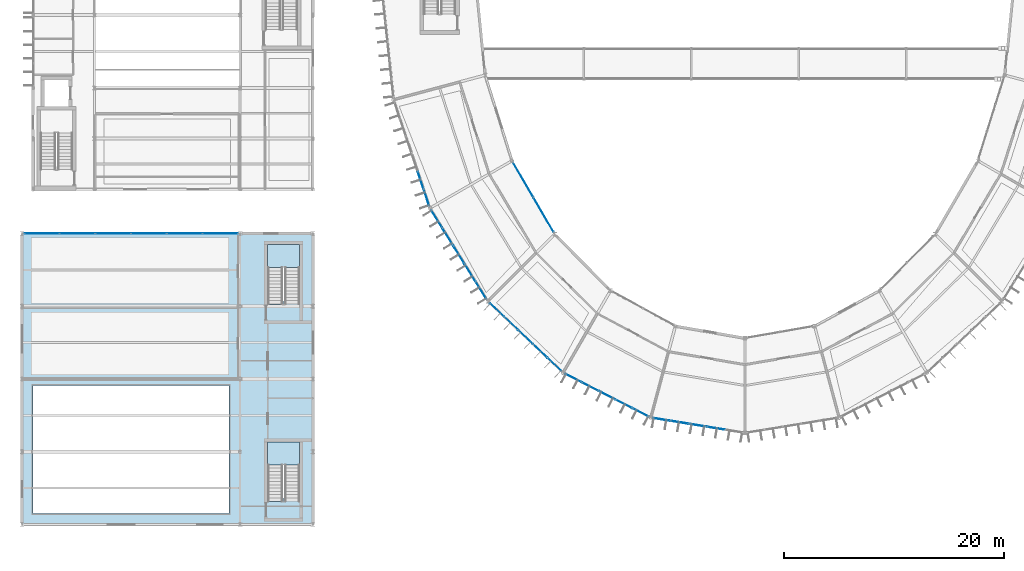
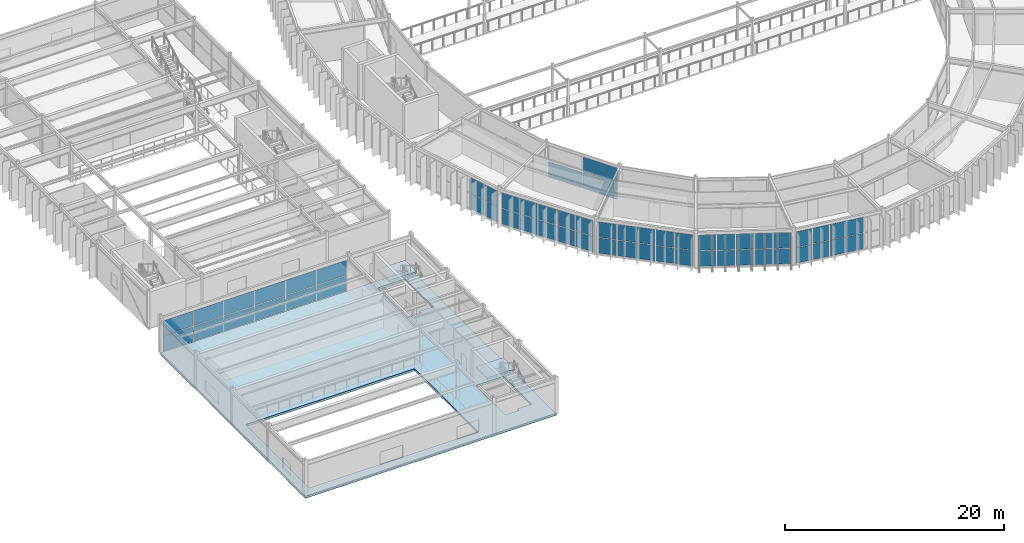
# One storey, part 99 of 148: 57 plates, 3 slabs, 9 elements without a shape of their own.
"""IFC4 building model written with IfcOpenShell, lengths in metres."""

import ifcopenshell
import ifcopenshell.guid

model = None  # the IFC model being written
_history = None  # IfcOwnerHistory: only IFC2X3 demands one
_inside = {}  # id of a spatial element -> (the spatial element, [elements in it])
_under = {}  # id of a project, library or spatial element -> (it, [spatial elements below it])
_declared = {}  # id of a project -> (the project, [libraries it declares])
_typed = {}  # id of a type object -> (the type object, [elements of that type])
_made_of = {}  # id of a material, layer set ... -> (it, [elements and type objects made of it])


def new_model(schema):
    """Start an empty IFC model of exactly this schema.

    Asked for "IFC4X3", IfcOpenShell would pick the latest addendum, in which some entities
    have other attributes; the version numbers below select the first issue.
    IFC2X3 requires an IfcOwnerHistory on every rooted entity: one is made here for all.
    """
    global model, _history
    if schema == "IFC4X3":
        model = ifcopenshell.file(schema_version=(4, 3, 0, 0))
    else:
        model = ifcopenshell.file(schema=schema)
    _inside.clear()
    _under.clear()
    _declared.clear()
    _typed.clear()
    _made_of.clear()
    _history = None
    if model.schema == "IFC2X3":
        org = make("IfcOrganization", Name="unknown")
        user = make(
            "IfcPersonAndOrganization",
            ThePerson=make("IfcPerson", FamilyName="unknown"),
            TheOrganization=org,
        )
        app = make(
            "IfcApplication",
            ApplicationDeveloper=org,
            Version="unknown",
            ApplicationFullName="unknown",
            ApplicationIdentifier="unknown",
        )
        _history = make(
            "IfcOwnerHistory",
            OwningUser=user,
            OwningApplication=app,
            ChangeAction="ADDED",
            CreationDate=0,
        )
    return model


def make(cls, **values):
    """One entity of the class cls with the attributes given. An attribute that is None is left unset."""
    return model.create_entity(
        cls, **{name: value for name, value in values.items() if value is not None}
    )


def rooted(cls, **values):
    """An entity with a GlobalId (a new one), such as an element, a storey or a relation."""
    return make(cls, GlobalId=ifcopenshell.guid.new(), OwnerHistory=_history, **values)


def si_unit(unit_type, name, prefix=None):
    """IfcSIUnit, for example si_unit("LENGTHUNIT", "METRE", prefix="MILLI")."""
    return make("IfcSIUnit", UnitType=unit_type, Prefix=prefix, Name=name)


def assignment(units):
    """IfcUnitAssignment: the units of a project."""
    return None if units is None else make("IfcUnitAssignment", Units=units)


def point(xyz):
    """IfcCartesianPoint."""
    return None if xyz is None else make("IfcCartesianPoint", Coordinates=xyz)


def direction(xyz):
    """IfcDirection."""
    return None if xyz is None else make("IfcDirection", DirectionRatios=xyz)


def frame(location, z_axis=None, x_axis=None):
    """IfcAxis2Placement3D, a coordinate frame: its origin and axes. An axis left out is left unset."""
    return make(
        "IfcAxis2Placement3D",
        Location=point(location),
        Axis=direction(z_axis),
        RefDirection=direction(x_axis),
    )


def frame_2d(location, x_axis=None):
    """IfcAxis2Placement2D, a coordinate frame in the plane: its origin and x axis."""
    return make(
        "IfcAxis2Placement2D", Location=point(location), RefDirection=direction(x_axis)
    )


def origin():
    """The frame at (0, 0, 0) with its axes left unset."""
    return frame((0.0, 0.0, 0.0))


def origin_2d():
    """The frame at (0, 0) in the plane with its x axis left unset."""
    return frame_2d((0.0, 0.0))


def place(relative_to, where):
    """IfcLocalPlacement: puts the frame where relative to a parent placement (None: the world)."""
    return make(
        "IfcLocalPlacement", PlacementRelTo=relative_to, RelativePlacement=where
    )


def context(
    kind, dimensions, precision=None, world=None, true_north=None, identifier=None
):
    """IfcGeometricRepresentationContext, for example the 3D "Model" context."""
    return make(
        "IfcGeometricRepresentationContext",
        ContextIdentifier=identifier,
        ContextType=kind,
        CoordinateSpaceDimension=dimensions,
        Precision=precision,
        WorldCoordinateSystem=world,
        TrueNorth=true_north,
    )


def subcontext(parent, identifier, kind, view, scale=None):
    """IfcGeometricRepresentationSubContext, for example "Body" below "Model"."""
    return make(
        "IfcGeometricRepresentationSubContext",
        ContextIdentifier=identifier,
        ContextType=kind,
        ParentContext=parent,
        TargetScale=scale,
        TargetView=view,
    )


def project(units=None, contexts=None):
    """IfcProject with its units and contexts."""
    return rooted(
        "IfcProject",
        Name="project",
        RepresentationContexts=contexts,
        UnitsInContext=assignment(units),
    )


def spatial(cls, under=None, at=None, **own):
    """A site, building, storey or space (cls), placed at a placement, below another one or the project."""
    s = rooted(cls, ObjectPlacement=at, **own)
    if under is not None:
        _under.setdefault(under.id(), (under, []))[1].append(s)
    return s


def polyline(points):
    """IfcPolyline through the points."""
    return make("IfcPolyline", Points=[point(p) for p in points])


def profile(cls, at=None, kind="AREA", **sizes):
    """A parametric profile (cls). Its sizes go by their IFC names, for example OverallWidth=200.0."""
    return make(cls, ProfileType=kind, Position=at, **sizes)


def rectangle(**sizes):
    """IfcRectangleProfileDef."""
    return profile("IfcRectangleProfileDef", **sizes)


def outline(outer, holes=None, kind="AREA"):
    """IfcArbitraryClosedProfileDef: a profile drawn as a closed curve; with holes, ...WithVoids."""
    if holes is None:
        return make("IfcArbitraryClosedProfileDef", ProfileType=kind, OuterCurve=outer)
    return make(
        "IfcArbitraryProfileDefWithVoids",
        ProfileType=kind,
        OuterCurve=outer,
        InnerCurves=holes,
    )


def extrude(swept, where, along, depth):
    """IfcExtrudedAreaSolid: the profile swept, set in the frame where, extruded along a direction by depth."""
    return make(
        "IfcExtrudedAreaSolid",
        SweptArea=swept,
        Position=where,
        ExtrudedDirection=direction(along),
        Depth=depth,
    )


def shape(context_of_items, identifier, shape_type, items):
    """IfcShapeRepresentation: the items that make up one representation, for example the "Body"."""
    return make(
        "IfcShapeRepresentation",
        ContextOfItems=context_of_items,
        RepresentationIdentifier=identifier,
        RepresentationType=shape_type,
        Items=items,
    )


def material(Name=None, Category=None):
    """IfcMaterial."""
    return make("IfcMaterial", Name=Name, Category=Category)


def layer(
    of_material, thickness, ventilated=None, Name=None, Category=None, Priority=None
):
    """IfcMaterialLayer: one layer of a wall or slab, of a material (None: an air gap)."""
    return make(
        "IfcMaterialLayer",
        Material=of_material,
        LayerThickness=thickness,
        IsVentilated=ventilated,
        Name=Name,
        Category=Category,
        Priority=Priority,
    )


def layer_set(layers, Name=None):
    """IfcMaterialLayerSet."""
    return make("IfcMaterialLayerSet", MaterialLayers=layers, LayerSetName=Name)


def made_of(thing, what):
    """Note that an element or type object is made of a material, layer set ...; save() writes the relation."""
    if what is not None:
        _made_of.setdefault(what.id(), (what, []))[1].append(thing)
    return thing


def type_object(cls, material=None, **own):
    """A type object (cls), such as IfcWallType, which elements share."""
    return made_of(rooted(cls, **own), material)


def element(
    cls,
    number,
    at=None,
    inside=None,
    cuts=None,
    type_object=None,
    material=None,
    context=None,
    identifier="Body",
    shape_type=None,
    held_by="IfcProductDefinitionShape",
    body=None,
    shapes=None,
    **own,
):
    """One element of the class cls, such as IfcWall. Its Tag is "e" and its number.

    at: its placement. inside: the storey or other place that contains it. cuts: it is an
    opening in that element (IfcRelVoidsElement). A single representation is given by context,
    identifier, shape_type and body (its items); several are given by shapes. held_by: the class
    of the entity that holds the representations. save() writes the other relations.
    """
    e = rooted(cls, Tag="e%d" % number, ObjectPlacement=at, **own)
    if body is not None:
        shapes = [shape(context, identifier, shape_type, body)]
    if shapes is not None:
        e.Representation = make(held_by, Representations=shapes)
    if inside is not None:
        _inside.setdefault(inside.id(), (inside, []))[1].append(e)
    if cuts is not None:
        rooted(
            "IfcRelVoidsElement", RelatingBuildingElement=cuts, RelatedOpeningElement=e
        )
    if type_object is not None:
        _typed.setdefault(type_object.id(), (type_object, []))[1].append(e)
    return made_of(e, material)


def aggregate(whole, parts):
    """IfcRelAggregates: a whole, such as a stair, and the parts it consists of."""
    return rooted("IfcRelAggregates", RelatingObject=whole, RelatedObjects=parts)


def save(model, path):
    """Write the relations noted so far, then the file.

    IfcRelAggregates (storeys below a building ...), IfcRelContainedInSpatialStructure (elements
    in a storey), IfcRelDefinesByType, IfcRelAssociatesMaterial and IfcRelDeclares: one each for
    every whole, place, type object, material and project.
    """
    for whole, parts in _under.values():
        aggregate(whole, parts)
    for where, things in _inside.values():
        rooted(
            "IfcRelContainedInSpatialStructure",
            RelatedElements=things,
            RelatingStructure=where,
        )
    for kind, things in _typed.values():
        rooted("IfcRelDefinesByType", RelatedObjects=things, RelatingType=kind)
    for what, things in _made_of.values():
        rooted("IfcRelAssociatesMaterial", RelatedObjects=things, RelatingMaterial=what)
    for by, libraries in _declared.values():
        rooted("IfcRelDeclares", RelatingContext=by, RelatedDefinitions=libraries)
    model.write(path)


model = new_model("IFC4")

# Units and contexts
model_context = context("Model", 3, precision=1e-05, world=origin(), true_north=direction((0.0, 1.0)))
body_context = subcontext(model_context, "Body", "Model", "MODEL_VIEW")
ifc_project = project(units=[si_unit("LENGTHUNIT", "METRE"), si_unit("AREAUNIT", "SQUARE_METRE"), si_unit("VOLUMEUNIT", "CUBIC_METRE"), si_unit("PLANEANGLEUNIT", "RADIAN"), si_unit("MASSUNIT", "GRAM", prefix="KILO")], contexts=[model_context])

# Site, building, storey
site_placement = place(None, origin())
site = spatial("IfcSite", under=ifc_project, at=site_placement, CompositionType="ELEMENT")
building_placement = place(site_placement, origin())
building = spatial("IfcBuilding", under=site, at=building_placement, Name="Karori Crest Natural Sciences Institute", CompositionType="ELEMENT")
storey_placement = place(building_placement, frame((0.0, 0.0, 4.89990234375)))
storey = spatial("IfcBuildingStorey", under=building, at=storey_placement, Name="L01", CompositionType="ELEMENT", Elevation=4.89990234375)

# Curtain wall, plates
ifc_material_1 = material(Name="Anodised architectural aluminium 6063-T6", Category="aluminium")
curtain_wall_type_1 = type_object("IfcCurtainWallType", Name="CWT-15", PredefinedType="NOTDEFINED", material=ifc_material_1)
curtain_wall_1_placement = place(storey_placement, origin())
curtain_wall_1 = element("IfcCurtainWall", 1, at=curtain_wall_1_placement, inside=storey, type_object=curtain_wall_type_1, Name="Curtain wall CW-0051", PredefinedType="NOTDEFINED")
ifc_material_2 = material(Name="Double low-E laminated glass", Category="glass")
ifc_layer_1 = layer(ifc_material_2, 0.02392578125, Name="Double low-E laminated glass")
ifc_layer_set_1 = layer_set([ifc_layer_1], Name="Double low-E laminated glass")
plate_type_1 = type_object("IfcPlateType", Name="CWP-01", PredefinedType="CURTAIN_PANEL", material=ifc_layer_set_1)
plate_1_placement = place(storey_placement, frame((46.274658203125, 32.070556640625, 0.06005859375), z_axis=(0.0, 0.0, 1.0), x_axis=(0.502659683982, -0.864484379326, 0.0)))
plate_1 = element("IfcPlate", 2, at=plate_1_placement, type_object=plate_type_1, Name="CW-0051 panel 1.1", PredefinedType="CURTAIN_PANEL", context=body_context, shape_type="SweptSolid", body=[
    extrude(rectangle(XDim=3.602294921875, YDim=0.02392578125, at=origin_2d()), origin(), (0.0, 0.0, 1.0), 1.735107421875),
])
plate_2_placement = place(storey_placement, frame((48.117919921875, 28.900146484375, 0.06005859375), z_axis=(0.0, 0.0, 1.0), x_axis=(0.502659683982, -0.864484379326, 0.0)))
plate_2 = element("IfcPlate", 3, at=plate_2_placement, type_object=plate_type_1, Name="CW-0051 panel 2.1", PredefinedType="CURTAIN_PANEL", context=body_context, shape_type="SweptSolid", body=[
    extrude(rectangle(XDim=3.602294921875, YDim=0.02392578125, at=origin_2d()), origin(), (0.0, 0.0, 1.0), 1.735107421875),
])
plate_3_placement = place(storey_placement, frame((48.117919921875, 28.900146484375, 1.85498046875), z_axis=(0.0, 0.0, 1.0), x_axis=(0.502659683982, -0.864484379326, 0.0)))
plate_3 = element("IfcPlate", 4, at=plate_3_placement, type_object=plate_type_1, Name="CW-0051 panel 2.2", PredefinedType="CURTAIN_PANEL", context=body_context, shape_type="SweptSolid", body=[
    extrude(rectangle(XDim=3.602294921875, YDim=0.02392578125, at=origin_2d()), origin(), (0.0, 0.0, 1.0), 1.735107421875),
])
aggregate(curtain_wall_1, [plate_1, plate_2, plate_3])

curtain_wall_type_2 = type_object("IfcCurtainWallType", Name="CWT-06", PredefinedType="NOTDEFINED", material=ifc_material_1)
curtain_wall_2_placement = place(storey_placement, origin())
curtain_wall_2 = element("IfcCurtainWall", 5, at=curtain_wall_2_placement, inside=storey, type_object=curtain_wall_type_2, Name="Curtain wall CW-0052", PredefinedType="NOTDEFINED")
plate_4_placement = place(storey_placement, frame((49.103515625, 15.32177734375, 0.06005859375), z_axis=(0.0, 0.0, 1.0), x_axis=(-0.725477446992, 0.688245939986, 0.0)))
plate_4 = element("IfcPlate", 6, at=plate_4_placement, type_object=plate_type_1, Name="CW-0052 panel 1.1", PredefinedType="CURTAIN_PANEL", context=body_context, shape_type="SweptSolid", body=[
    extrude(rectangle(XDim=1.694091796875, YDim=0.02392578125, at=origin_2d()), origin(), (0.0, 0.0, 1.0), 1.722412109375),
])
plate_5_placement = place(storey_placement, frame((49.103515625, 15.32177734375, 1.8427734375), z_axis=(0.0, 0.0, 1.0), x_axis=(-0.725477446992, 0.688245939986, 0.0)))
plate_5 = element("IfcPlate", 7, at=plate_5_placement, type_object=plate_type_1, Name="CW-0052 panel 1.2", PredefinedType="CURTAIN_PANEL", context=body_context, shape_type="SweptSolid", body=[
    extrude(rectangle(XDim=1.694091796875, YDim=0.02392578125, at=origin_2d()), origin(), (0.0, 0.0, 1.0), 1.722412109375),
])
plate_6_placement = place(storey_placement, frame((47.806640625, 16.55224609375, 0.06005859375), z_axis=(0.0, 0.0, 1.0), x_axis=(-0.725477446992, 0.688245939986, 0.0)))
plate_6 = element("IfcPlate", 8, at=plate_6_placement, type_object=plate_type_1, Name="CW-0052 panel 2.1", PredefinedType="CURTAIN_PANEL", context=body_context, shape_type="SweptSolid", body=[
    extrude(rectangle(XDim=1.7314453125, YDim=0.02392578125, at=origin_2d()), origin(), (0.0, 0.0, 1.0), 1.722412109375),
])
plate_7_placement = place(storey_placement, frame((47.806640625, 16.55224609375, 1.8427734375), z_axis=(0.0, 0.0, 1.0), x_axis=(-0.725477446992, 0.688245939986, 0.0)))
plate_7 = element("IfcPlate", 9, at=plate_7_placement, type_object=plate_type_1, Name="CW-0052 panel 2.2", PredefinedType="CURTAIN_PANEL", context=body_context, shape_type="SweptSolid", body=[
    extrude(rectangle(XDim=1.7314453125, YDim=0.02392578125, at=origin_2d()), origin(), (0.0, 0.0, 1.0), 1.722412109375),
])
plate_8_placement = place(storey_placement, frame((46.49609375, 17.795654296875, 0.06005859375), z_axis=(0.0, 0.0, 1.0), x_axis=(-0.725477446992, 0.688245939986, 0.0)))
plate_8 = element("IfcPlate", 10, at=plate_8_placement, type_object=plate_type_1, Name="CW-0052 panel 3.1", PredefinedType="CURTAIN_PANEL", context=body_context, shape_type="SweptSolid", body=[
    extrude(rectangle(XDim=1.7314453125, YDim=0.02392578125, at=origin_2d()), origin(), (0.0, 0.0, 1.0), 1.722412109375),
])
plate_9_placement = place(storey_placement, frame((46.49609375, 17.795654296875, 1.8427734375), z_axis=(0.0, 0.0, 1.0), x_axis=(-0.725477446992, 0.688245939986, 0.0)))
plate_9 = element("IfcPlate", 11, at=plate_9_placement, type_object=plate_type_1, Name="CW-0052 panel 3.2", PredefinedType="CURTAIN_PANEL", context=body_context, shape_type="SweptSolid", body=[
    extrude(rectangle(XDim=1.7314453125, YDim=0.02392578125, at=origin_2d()), origin(), (0.0, 0.0, 1.0), 1.722412109375),
])
plate_10_placement = place(storey_placement, frame((45.185302734375, 19.038818359375, 0.06005859375), z_axis=(0.0, 0.0, 1.0), x_axis=(-0.725477446992, 0.688245939986, 0.0)))
plate_10 = element("IfcPlate", 12, at=plate_10_placement, type_object=plate_type_1, Name="CW-0052 panel 4.1", PredefinedType="CURTAIN_PANEL", context=body_context, shape_type="SweptSolid", body=[
    extrude(rectangle(XDim=1.7314453125, YDim=0.02392578125, at=origin_2d()), origin(), (0.0, 0.0, 1.0), 1.722412109375),
])
plate_11_placement = place(storey_placement, frame((45.185302734375, 19.038818359375, 1.8427734375), z_axis=(0.0, 0.0, 1.0), x_axis=(-0.725477446992, 0.688245939986, 0.0)))
plate_11 = element("IfcPlate", 13, at=plate_11_placement, type_object=plate_type_1, Name="CW-0052 panel 4.2", PredefinedType="CURTAIN_PANEL", context=body_context, shape_type="SweptSolid", body=[
    extrude(rectangle(XDim=1.7314453125, YDim=0.02392578125, at=origin_2d()), origin(), (0.0, 0.0, 1.0), 1.722412109375),
])
plate_12_placement = place(storey_placement, frame((43.888427734375, 20.269287109375, 0.06005859375), z_axis=(0.0, 0.0, 1.0), x_axis=(-0.725477446992, 0.688245939986, 0.0)))
plate_12 = element("IfcPlate", 14, at=plate_12_placement, type_object=plate_type_1, Name="CW-0052 panel 5.1", PredefinedType="CURTAIN_PANEL", context=body_context, shape_type="SweptSolid", body=[
    extrude(rectangle(XDim=1.694091796875, YDim=0.02392578125, at=origin_2d()), origin(), (0.0, 0.0, 1.0), 1.722412109375),
])
plate_13_placement = place(storey_placement, frame((43.888427734375, 20.269287109375, 1.8427734375), z_axis=(0.0, 0.0, 1.0), x_axis=(-0.725477446992, 0.688245939986, 0.0)))
plate_13 = element("IfcPlate", 15, at=plate_13_placement, type_object=plate_type_1, Name="CW-0052 panel 5.2", PredefinedType="CURTAIN_PANEL", context=body_context, shape_type="SweptSolid", body=[
    extrude(rectangle(XDim=1.694091796875, YDim=0.02392578125, at=origin_2d()), origin(), (0.0, 0.0, 1.0), 1.722412109375),
])
aggregate(curtain_wall_2, [plate_4, plate_5, plate_6, plate_7, plate_8, plate_9, plate_10, plate_11, plate_12, plate_13])

curtain_wall_type_3 = type_object("IfcCurtainWallType", Name="CWT-16", PredefinedType="NOTDEFINED", material=ifc_material_1)
curtain_wall_3_placement = place(storey_placement, origin())
curtain_wall_3 = element("IfcCurtainWall", 16, at=curtain_wall_3_placement, inside=storey, type_object=curtain_wall_type_3, Name="Curtain wall CW-0252", PredefinedType="NOTDEFINED")
plate_14_placement = place(storey_placement, frame((2.6103515625, 27.199951171875, 0.06005859375), z_axis=(0.0, 0.0, 1.0), x_axis=(1.0, 0.0, 0.0)))
plate_14 = element("IfcPlate", 17, at=plate_14_placement, type_object=plate_type_1, Name="CW-0252 panel 1.1", PredefinedType="CURTAIN_PANEL", context=body_context, shape_type="SweptSolid", body=[
    extrude(rectangle(XDim=3.144775390625, YDim=0.02392578125, at=origin_2d()), origin(), (0.0, 0.0, 1.0), 1.66259765625),
])
plate_15_placement = place(storey_placement, frame((2.6103515625, 27.199951171875, 1.782470703125), z_axis=(0.0, 0.0, 1.0), x_axis=(1.0, 0.0, 0.0)))
plate_15 = element("IfcPlate", 18, at=plate_15_placement, type_object=plate_type_1, Name="CW-0252 panel 1.2", PredefinedType="CURTAIN_PANEL", context=body_context, shape_type="SweptSolid", body=[
    extrude(rectangle(XDim=3.144775390625, YDim=0.02392578125, at=origin_2d()), origin(), (0.0, 0.0, 1.0), 1.66259765625),
])
plate_16_placement = place(storey_placement, frame((5.83642578125, 27.199951171875, 0.06005859375), z_axis=(0.0, 0.0, 1.0), x_axis=(1.0, 0.0, 0.0)))
plate_16 = element("IfcPlate", 19, at=plate_16_placement, type_object=plate_type_1, Name="CW-0252 panel 2.1", PredefinedType="CURTAIN_PANEL", context=body_context, shape_type="SweptSolid", body=[
    extrude(rectangle(XDim=3.17724609375, YDim=0.02392578125, at=origin_2d()), origin(), (0.0, 0.0, 1.0), 1.66259765625),
])
plate_17_placement = place(storey_placement, frame((5.83642578125, 27.199951171875, 1.782470703125), z_axis=(0.0, 0.0, 1.0), x_axis=(1.0, 0.0, 0.0)))
plate_17 = element("IfcPlate", 20, at=plate_17_placement, type_object=plate_type_1, Name="CW-0252 panel 2.2", PredefinedType="CURTAIN_PANEL", context=body_context, shape_type="SweptSolid", body=[
    extrude(rectangle(XDim=3.17724609375, YDim=0.02392578125, at=origin_2d()), origin(), (0.0, 0.0, 1.0), 1.66259765625),
])
plate_18_placement = place(storey_placement, frame((9.078857421875, 27.199951171875, 0.06005859375), z_axis=(0.0, 0.0, 1.0), x_axis=(1.0, 0.0, 0.0)))
plate_18 = element("IfcPlate", 21, at=plate_18_placement, type_object=plate_type_1, Name="CW-0252 panel 3.1", PredefinedType="CURTAIN_PANEL", context=body_context, shape_type="SweptSolid", body=[
    extrude(rectangle(XDim=3.17724609375, YDim=0.02392578125, at=origin_2d()), origin(), (0.0, 0.0, 1.0), 1.66259765625),
])
plate_19_placement = place(storey_placement, frame((9.078857421875, 27.199951171875, 1.782470703125), z_axis=(0.0, 0.0, 1.0), x_axis=(1.0, 0.0, 0.0)))
plate_19 = element("IfcPlate", 22, at=plate_19_placement, type_object=plate_type_1, Name="CW-0252 panel 3.2", PredefinedType="CURTAIN_PANEL", context=body_context, shape_type="SweptSolid", body=[
    extrude(rectangle(XDim=3.17724609375, YDim=0.02392578125, at=origin_2d()), origin(), (0.0, 0.0, 1.0), 1.66259765625),
])
plate_20_placement = place(storey_placement, frame((12.321044921875, 27.199951171875, 0.06005859375), z_axis=(0.0, 0.0, 1.0), x_axis=(1.0, 0.0, 0.0)))
plate_20 = element("IfcPlate", 23, at=plate_20_placement, type_object=plate_type_1, Name="CW-0252 panel 4.1", PredefinedType="CURTAIN_PANEL", context=body_context, shape_type="SweptSolid", body=[
    extrude(rectangle(XDim=3.17724609375, YDim=0.02392578125, at=origin_2d()), origin(), (0.0, 0.0, 1.0), 1.66259765625),
])
plate_21_placement = place(storey_placement, frame((12.321044921875, 27.199951171875, 1.782470703125), z_axis=(0.0, 0.0, 1.0), x_axis=(1.0, 0.0, 0.0)))
plate_21 = element("IfcPlate", 24, at=plate_21_placement, type_object=plate_type_1, Name="CW-0252 panel 4.2", PredefinedType="CURTAIN_PANEL", context=body_context, shape_type="SweptSolid", body=[
    extrude(rectangle(XDim=3.17724609375, YDim=0.02392578125, at=origin_2d()), origin(), (0.0, 0.0, 1.0), 1.66259765625),
])
plate_22_placement = place(storey_placement, frame((15.5634765625, 27.199951171875, 0.06005859375), z_axis=(0.0, 0.0, 1.0), x_axis=(1.0, 0.0, 0.0)))
plate_22 = element("IfcPlate", 25, at=plate_22_placement, type_object=plate_type_1, Name="CW-0252 panel 5.1", PredefinedType="CURTAIN_PANEL", context=body_context, shape_type="SweptSolid", body=[
    extrude(rectangle(XDim=3.17724609375, YDim=0.02392578125, at=origin_2d()), origin(), (0.0, 0.0, 1.0), 1.66259765625),
])
plate_23_placement = place(storey_placement, frame((15.5634765625, 27.199951171875, 1.782470703125), z_axis=(0.0, 0.0, 1.0), x_axis=(1.0, 0.0, 0.0)))
plate_23 = element("IfcPlate", 26, at=plate_23_placement, type_object=plate_type_1, Name="CW-0252 panel 5.2", PredefinedType="CURTAIN_PANEL", context=body_context, shape_type="SweptSolid", body=[
    extrude(rectangle(XDim=3.17724609375, YDim=0.02392578125, at=origin_2d()), origin(), (0.0, 0.0, 1.0), 1.66259765625),
])
plate_24_placement = place(storey_placement, frame((18.78955078125, 27.199951171875, 0.06005859375), z_axis=(0.0, 0.0, 1.0), x_axis=(1.0, 0.0, 0.0)))
plate_24 = element("IfcPlate", 27, at=plate_24_placement, type_object=plate_type_1, Name="CW-0252 panel 6.1", PredefinedType="CURTAIN_PANEL", context=body_context, shape_type="SweptSolid", body=[
    extrude(rectangle(XDim=3.144775390625, YDim=0.02392578125, at=origin_2d()), origin(), (0.0, 0.0, 1.0), 1.66259765625),
])
plate_25_placement = place(storey_placement, frame((18.78955078125, 27.199951171875, 1.782470703125), z_axis=(0.0, 0.0, 1.0), x_axis=(1.0, 0.0, 0.0)))
plate_25 = element("IfcPlate", 28, at=plate_25_placement, type_object=plate_type_1, Name="CW-0252 panel 6.2", PredefinedType="CURTAIN_PANEL", context=body_context, shape_type="SweptSolid", body=[
    extrude(rectangle(XDim=3.144775390625, YDim=0.02392578125, at=origin_2d()), origin(), (0.0, 0.0, 1.0), 1.66259765625),
])
aggregate(curtain_wall_3, [plate_14, plate_15, plate_16, plate_17, plate_18, plate_19, plate_20, plate_21, plate_22, plate_23, plate_24, plate_25])

curtain_wall_type_4 = type_object("IfcCurtainWallType", Name="CWT-04", PredefinedType="NOTDEFINED", material=ifc_material_1)
curtain_wall_4_placement = place(storey_placement, origin())
curtain_wall_4 = element("IfcCurtainWall", 29, at=curtain_wall_4_placement, inside=storey, type_object=curtain_wall_type_4, Name="Curtain wall CW-0049", PredefinedType="NOTDEFINED")
ifc_layer_2 = layer(ifc_material_2, 0.033935546875, Name="Double low-E laminated glass")
ifc_layer_set_2 = layer_set([ifc_layer_2], Name="Double low-E laminated glass")
plate_type_2 = type_object("IfcPlateType", Name="CWP-02", PredefinedType="CURTAIN_PANEL", material=ifc_layer_set_2)
plate_26_placement = place(storey_placement, frame((37.49853515625, 30.462890625, 0.06005859375), z_axis=(0.0, 0.0, 1.0), x_axis=(-0.317685267462, 0.948196219586, 0.0)))
plate_26 = element("IfcPlate", 30, at=plate_26_placement, type_object=plate_type_2, Name="CW-0049 panel 1.1", PredefinedType="CURTAIN_PANEL", context=body_context, shape_type="SweptSolid", body=[
    extrude(rectangle(XDim=1.561279296875, YDim=0.033935546875, at=origin_2d()), origin(), (0.0, 0.0, 1.0), 1.722412109375),
])
plate_27_placement = place(storey_placement, frame((37.49853515625, 30.462890625, 1.8427734375), z_axis=(0.0, 0.0, 1.0), x_axis=(-0.317685267462, 0.948196219586, 0.0)))
plate_27 = element("IfcPlate", 31, at=plate_27_placement, type_object=plate_type_2, Name="CW-0049 panel 1.2", PredefinedType="CURTAIN_PANEL", context=body_context, shape_type="SweptSolid", body=[
    extrude(rectangle(XDim=1.561279296875, YDim=0.033935546875, at=origin_2d()), origin(), (0.0, 0.0, 1.0), 1.722412109375),
])
plate_28_placement = place(storey_placement, frame((36.972900390625, 32.0322265625, 0.06005859375), z_axis=(0.0, 0.0, 1.0), x_axis=(-0.317685267462, 0.948196219586, 0.0)))
plate_28 = element("IfcPlate", 32, at=plate_28_placement, type_object=plate_type_2, Name="CW-0049 panel 2.1", PredefinedType="CURTAIN_PANEL", context=body_context, shape_type="SweptSolid", body=[
    extrude(rectangle(XDim=1.5986328125, YDim=0.033935546875, at=origin_2d()), origin(), (0.0, 0.0, 1.0), 1.722412109375),
])
plate_29_placement = place(storey_placement, frame((36.972900390625, 32.0322265625, 1.8427734375), z_axis=(0.0, 0.0, 1.0), x_axis=(-0.317685267462, 0.948196219586, 0.0)))
plate_29 = element("IfcPlate", 33, at=plate_29_placement, type_object=plate_type_2, Name="CW-0049 panel 2.2", PredefinedType="CURTAIN_PANEL", context=body_context, shape_type="SweptSolid", body=[
    extrude(rectangle(XDim=1.5986328125, YDim=0.033935546875, at=origin_2d()), origin(), (0.0, 0.0, 1.0), 1.722412109375),
])
aggregate(curtain_wall_4, [plate_26, plate_27, plate_28, plate_29])

curtain_wall_type_5 = type_object("IfcCurtainWallType", Name="CWT-07", PredefinedType="NOTDEFINED", material=ifc_material_1)
curtain_wall_5_placement = place(storey_placement, origin())
curtain_wall_5 = element("IfcCurtainWall", 34, at=curtain_wall_5_placement, inside=storey, type_object=curtain_wall_type_5, Name="Curtain wall CW-0053", PredefinedType="NOTDEFINED")
plate_30_placement = place(storey_placement, frame((56.933837890625, 10.9638671875, 0.06494140625), z_axis=(0.0, 0.0, 1.0), x_axis=(-0.890065326982, 0.455832988828, 0.0)))
plate_30 = element("IfcPlate", 35, at=plate_30_placement, type_object=plate_type_2, Name="CW-0053 panel 1.1", PredefinedType="CURTAIN_PANEL", context=body_context, shape_type="SweptSolid", body=[
    extrude(rectangle(XDim=1.608642578125, YDim=0.033935546875, at=origin_2d()), origin(), (0.0, 0.0, 1.0), 1.715087890625),
])
plate_31_placement = place(storey_placement, frame((56.933837890625, 10.9638671875, 1.84521484375), z_axis=(0.0, 0.0, 1.0), x_axis=(-0.890065326982, 0.455832988828, 0.0)))
plate_31 = element("IfcPlate", 36, at=plate_31_placement, type_object=plate_type_2, Name="CW-0053 panel 1.2", PredefinedType="CURTAIN_PANEL", context=body_context, shape_type="SweptSolid", body=[
    extrude(rectangle(XDim=1.608642578125, YDim=0.033935546875, at=origin_2d()), origin(), (0.0, 0.0, 1.0), 1.715087890625),
])
plate_32_placement = place(storey_placement, frame((55.41845703125, 11.739990234375, 0.06494140625), z_axis=(0.0, 0.0, 1.0), x_axis=(-0.890065326982, 0.455832988828, 0.0)))
plate_32 = element("IfcPlate", 37, at=plate_32_placement, type_object=plate_type_2, Name="CW-0053 panel 2.1", PredefinedType="CURTAIN_PANEL", context=body_context, shape_type="SweptSolid", body=[
    extrude(rectangle(XDim=1.646240234375, YDim=0.033935546875, at=origin_2d()), origin(), (0.0, 0.0, 1.0), 1.715087890625),
])
plate_33_placement = place(storey_placement, frame((55.41845703125, 11.739990234375, 1.84521484375), z_axis=(0.0, 0.0, 1.0), x_axis=(-0.890065326982, 0.455832988828, 0.0)))
plate_33 = element("IfcPlate", 38, at=plate_33_placement, type_object=plate_type_2, Name="CW-0053 panel 2.2", PredefinedType="CURTAIN_PANEL", context=body_context, shape_type="SweptSolid", body=[
    extrude(rectangle(XDim=1.646240234375, YDim=0.033935546875, at=origin_2d()), origin(), (0.0, 0.0, 1.0), 1.715087890625),
])
plate_34_placement = place(storey_placement, frame((53.886474609375, 12.524658203125, 0.06494140625), z_axis=(0.0, 0.0, 1.0), x_axis=(-0.890065326982, 0.455832988828, 0.0)))
plate_34 = element("IfcPlate", 39, at=plate_34_placement, type_object=plate_type_2, Name="CW-0053 panel 3.1", PredefinedType="CURTAIN_PANEL", context=body_context, shape_type="SweptSolid", body=[
    extrude(rectangle(XDim=1.646240234375, YDim=0.033935546875, at=origin_2d()), origin(), (0.0, 0.0, 1.0), 1.715087890625),
])
plate_35_placement = place(storey_placement, frame((53.886474609375, 12.524658203125, 1.84521484375), z_axis=(0.0, 0.0, 1.0), x_axis=(-0.890065326982, 0.455832988828, 0.0)))
plate_35 = element("IfcPlate", 40, at=plate_35_placement, type_object=plate_type_2, Name="CW-0053 panel 3.2", PredefinedType="CURTAIN_PANEL", context=body_context, shape_type="SweptSolid", body=[
    extrude(rectangle(XDim=1.646240234375, YDim=0.033935546875, at=origin_2d()), origin(), (0.0, 0.0, 1.0), 1.715087890625),
])
plate_36_placement = place(storey_placement, frame((52.3544921875, 13.30908203125, 0.06494140625), z_axis=(0.0, 0.0, 1.0), x_axis=(-0.890065326982, 0.455832988828, 0.0)))
plate_36 = element("IfcPlate", 41, at=plate_36_placement, type_object=plate_type_2, Name="CW-0053 panel 4.1", PredefinedType="CURTAIN_PANEL", context=body_context, shape_type="SweptSolid", body=[
    extrude(rectangle(XDim=1.646240234375, YDim=0.033935546875, at=origin_2d()), origin(), (0.0, 0.0, 1.0), 1.715087890625),
])
plate_37_placement = place(storey_placement, frame((52.3544921875, 13.30908203125, 1.84521484375), z_axis=(0.0, 0.0, 1.0), x_axis=(-0.890065326982, 0.455832988828, 0.0)))
plate_37 = element("IfcPlate", 42, at=plate_37_placement, type_object=plate_type_2, Name="CW-0053 panel 4.2", PredefinedType="CURTAIN_PANEL", context=body_context, shape_type="SweptSolid", body=[
    extrude(rectangle(XDim=1.646240234375, YDim=0.033935546875, at=origin_2d()), origin(), (0.0, 0.0, 1.0), 1.715087890625),
])
plate_38_placement = place(storey_placement, frame((50.839111328125, 14.085205078125, 0.06494140625), z_axis=(0.0, 0.0, 1.0), x_axis=(-0.890065326982, 0.455832988828, 0.0)))
plate_38 = element("IfcPlate", 43, at=plate_38_placement, type_object=plate_type_2, Name="CW-0053 panel 5.1", PredefinedType="CURTAIN_PANEL", context=body_context, shape_type="SweptSolid", body=[
    extrude(rectangle(XDim=1.608642578125, YDim=0.033935546875, at=origin_2d()), origin(), (0.0, 0.0, 1.0), 1.715087890625),
])
plate_39_placement = place(storey_placement, frame((50.839111328125, 14.085205078125, 1.84521484375), z_axis=(0.0, 0.0, 1.0), x_axis=(-0.890065326982, 0.455832988828, 0.0)))
plate_39 = element("IfcPlate", 44, at=plate_39_placement, type_object=plate_type_2, Name="CW-0053 panel 5.2", PredefinedType="CURTAIN_PANEL", context=body_context, shape_type="SweptSolid", body=[
    extrude(rectangle(XDim=1.608642578125, YDim=0.033935546875, at=origin_2d()), origin(), (0.0, 0.0, 1.0), 1.715087890625),
])
aggregate(curtain_wall_5, [plate_30, plate_31, plate_32, plate_33, plate_34, plate_35, plate_36, plate_37, plate_38, plate_39])

curtain_wall_type_6 = type_object("IfcCurtainWallType", Name="CWT-05", PredefinedType="NOTDEFINED", material=ifc_material_1)
curtain_wall_6_placement = place(storey_placement, origin())
curtain_wall_6 = element("IfcCurtainWall", 45, at=curtain_wall_6_placement, inside=storey, type_object=curtain_wall_type_6, Name="Curtain wall CW-0050", PredefinedType="NOTDEFINED")
ifc_layer_3 = layer(ifc_material_2, 0.0439453125, Name="Double low-E laminated glass")
ifc_layer_set_3 = layer_set([ifc_layer_3], Name="Double low-E laminated glass")
plate_type_3 = type_object("IfcPlateType", Name="CWP-03", PredefinedType="CURTAIN_PANEL", material=ifc_layer_set_3)
plate_40_placement = place(storey_placement, frame((42.44921875, 22.04296875, 0.06494140625), z_axis=(0.0, 0.0, 1.0), x_axis=(-0.527321609902, 0.849665769424, 0.0)))
plate_40 = element("IfcPlate", 46, at=plate_40_placement, type_object=plate_type_3, Name="CW-0050 panel 1.1", PredefinedType="CURTAIN_PANEL", context=body_context, shape_type="SweptSolid", body=[
    extrude(rectangle(XDim=1.806396484375, YDim=0.0439453125, at=origin_2d()), origin(), (0.0, 0.0, 1.0), 1.715087890625),
])
plate_41_placement = place(storey_placement, frame((42.44921875, 22.04296875, 1.84521484375), z_axis=(0.0, 0.0, 1.0), x_axis=(-0.527321609902, 0.849665769424, 0.0)))
plate_41 = element("IfcPlate", 47, at=plate_41_placement, type_object=plate_type_3, Name="CW-0050 panel 1.2", PredefinedType="CURTAIN_PANEL", context=body_context, shape_type="SweptSolid", body=[
    extrude(rectangle(XDim=1.806396484375, YDim=0.0439453125, at=origin_2d()), origin(), (0.0, 0.0, 1.0), 1.715087890625),
])
plate_42_placement = place(storey_placement, frame((41.447265625, 23.657470703125, 0.06494140625), z_axis=(0.0, 0.0, 1.0), x_axis=(-0.527321609902, 0.849665769424, 0.0)))
plate_42 = element("IfcPlate", 48, at=plate_42_placement, type_object=plate_type_3, Name="CW-0050 panel 2.1", PredefinedType="CURTAIN_PANEL", context=body_context, shape_type="SweptSolid", body=[
    extrude(rectangle(XDim=1.843994140625, YDim=0.0439453125, at=origin_2d()), origin(), (0.0, 0.0, 1.0), 1.715087890625),
])
plate_43_placement = place(storey_placement, frame((41.447265625, 23.657470703125, 1.84521484375), z_axis=(0.0, 0.0, 1.0), x_axis=(-0.527321609902, 0.849665769424, 0.0)))
plate_43 = element("IfcPlate", 49, at=plate_43_placement, type_object=plate_type_3, Name="CW-0050 panel 2.2", PredefinedType="CURTAIN_PANEL", context=body_context, shape_type="SweptSolid", body=[
    extrude(rectangle(XDim=1.843994140625, YDim=0.0439453125, at=origin_2d()), origin(), (0.0, 0.0, 1.0), 1.715087890625),
])
plate_44_placement = place(storey_placement, frame((40.435302734375, 25.287841796875, 0.06494140625), z_axis=(0.0, 0.0, 1.0), x_axis=(-0.527321609902, 0.849665769424, 0.0)))
plate_44 = element("IfcPlate", 50, at=plate_44_placement, type_object=plate_type_3, Name="CW-0050 panel 3.1", PredefinedType="CURTAIN_PANEL", context=body_context, shape_type="SweptSolid", body=[
    extrude(rectangle(XDim=1.843994140625, YDim=0.0439453125, at=origin_2d()), origin(), (0.0, 0.0, 1.0), 1.715087890625),
])
plate_45_placement = place(storey_placement, frame((40.435302734375, 25.287841796875, 1.84521484375), z_axis=(0.0, 0.0, 1.0), x_axis=(-0.527321609902, 0.849665769424, 0.0)))
plate_45 = element("IfcPlate", 51, at=plate_45_placement, type_object=plate_type_3, Name="CW-0050 panel 3.2", PredefinedType="CURTAIN_PANEL", context=body_context, shape_type="SweptSolid", body=[
    extrude(rectangle(XDim=1.843994140625, YDim=0.0439453125, at=origin_2d()), origin(), (0.0, 0.0, 1.0), 1.715087890625),
])
plate_46_placement = place(storey_placement, frame((39.42333984375, 26.91845703125, 0.06494140625), z_axis=(0.0, 0.0, 1.0), x_axis=(-0.527321609902, 0.849665769424, 0.0)))
plate_46 = element("IfcPlate", 52, at=plate_46_placement, type_object=plate_type_3, Name="CW-0050 panel 4.1", PredefinedType="CURTAIN_PANEL", context=body_context, shape_type="SweptSolid", body=[
    extrude(rectangle(XDim=1.843994140625, YDim=0.0439453125, at=origin_2d()), origin(), (0.0, 0.0, 1.0), 1.715087890625),
])
plate_47_placement = place(storey_placement, frame((39.42333984375, 26.91845703125, 1.84521484375), z_axis=(0.0, 0.0, 1.0), x_axis=(-0.527321609902, 0.849665769424, 0.0)))
plate_47 = element("IfcPlate", 53, at=plate_47_placement, type_object=plate_type_3, Name="CW-0050 panel 4.2", PredefinedType="CURTAIN_PANEL", context=body_context, shape_type="SweptSolid", body=[
    extrude(rectangle(XDim=1.843994140625, YDim=0.0439453125, at=origin_2d()), origin(), (0.0, 0.0, 1.0), 1.715087890625),
])
plate_48_placement = place(storey_placement, frame((38.42138671875, 28.532958984375, 0.06494140625), z_axis=(0.0, 0.0, 1.0), x_axis=(-0.527321609902, 0.849665769424, 0.0)))
plate_48 = element("IfcPlate", 54, at=plate_48_placement, type_object=plate_type_3, Name="CW-0050 panel 5.1", PredefinedType="CURTAIN_PANEL", context=body_context, shape_type="SweptSolid", body=[
    extrude(rectangle(XDim=1.806396484375, YDim=0.0439453125, at=origin_2d()), origin(), (0.0, 0.0, 1.0), 1.715087890625),
])
plate_49_placement = place(storey_placement, frame((38.42138671875, 28.532958984375, 1.84521484375), z_axis=(0.0, 0.0, 1.0), x_axis=(-0.527321609902, 0.849665769424, 0.0)))
plate_49 = element("IfcPlate", 55, at=plate_49_placement, type_object=plate_type_3, Name="CW-0050 panel 5.2", PredefinedType="CURTAIN_PANEL", context=body_context, shape_type="SweptSolid", body=[
    extrude(rectangle(XDim=1.806396484375, YDim=0.0439453125, at=origin_2d()), origin(), (0.0, 0.0, 1.0), 1.715087890625),
])
aggregate(curtain_wall_6, [plate_40, plate_41, plate_42, plate_43, plate_44, plate_45, plate_46, plate_47, plate_48, plate_49])

curtain_wall_type_7 = type_object("IfcCurtainWallType", Name="CWT-08", PredefinedType="NOTDEFINED", material=ifc_material_1)
curtain_wall_7_placement = place(storey_placement, origin())
curtain_wall_7 = element("IfcCurtainWall", 56, at=curtain_wall_7_placement, inside=storey, type_object=curtain_wall_type_7, Name="Curtain wall CW-0055", PredefinedType="NOTDEFINED")
plate_50_placement = place(storey_placement, frame((63.777587890625, 9.52685546875, 0.06005859375), z_axis=(0.0, 0.0, 1.0), x_axis=(-0.987011117908, 0.160651962718, 0.0)))
plate_50 = element("IfcPlate", 57, at=plate_50_placement, type_object=plate_type_3, Name="CW-0055 panel 2.1", PredefinedType="CURTAIN_PANEL", context=body_context, shape_type="SweptSolid", body=[
    extrude(rectangle(XDim=1.592529296875, YDim=0.0439453125, at=origin_2d()), origin(), (0.0, 0.0, 1.0), 1.722412109375),
])
plate_51_placement = place(storey_placement, frame((63.777587890625, 9.52685546875, 1.8427734375), z_axis=(0.0, 0.0, 1.0), x_axis=(-0.987011117908, 0.160651962718, 0.0)))
plate_51 = element("IfcPlate", 58, at=plate_51_placement, type_object=plate_type_3, Name="CW-0055 panel 2.2", PredefinedType="CURTAIN_PANEL", context=body_context, shape_type="SweptSolid", body=[
    extrude(rectangle(XDim=1.592529296875, YDim=0.0439453125, at=origin_2d()), origin(), (0.0, 0.0, 1.0), 1.722412109375),
])
plate_52_placement = place(storey_placement, frame((62.131591796875, 9.794677734375, 0.06005859375), z_axis=(0.0, 0.0, 1.0), x_axis=(-0.987011117908, 0.160651962718, 0.0)))
plate_52 = element("IfcPlate", 59, at=plate_52_placement, type_object=plate_type_3, Name="CW-0055 panel 3.1", PredefinedType="CURTAIN_PANEL", context=body_context, shape_type="SweptSolid", body=[
    extrude(rectangle(XDim=1.592529296875, YDim=0.0439453125, at=origin_2d()), origin(), (0.0, 0.0, 1.0), 1.722412109375),
])
plate_53_placement = place(storey_placement, frame((62.131591796875, 9.794677734375, 1.8427734375), z_axis=(0.0, 0.0, 1.0), x_axis=(-0.987011117908, 0.160651962718, 0.0)))
plate_53 = element("IfcPlate", 60, at=plate_53_placement, type_object=plate_type_3, Name="CW-0055 panel 3.2", PredefinedType="CURTAIN_PANEL", context=body_context, shape_type="SweptSolid", body=[
    extrude(rectangle(XDim=1.592529296875, YDim=0.0439453125, at=origin_2d()), origin(), (0.0, 0.0, 1.0), 1.722412109375),
])
plate_54_placement = place(storey_placement, frame((60.48583984375, 10.062744140625, 0.06005859375), z_axis=(0.0, 0.0, 1.0), x_axis=(-0.987011117908, 0.160651962718, 0.0)))
plate_54 = element("IfcPlate", 61, at=plate_54_placement, type_object=plate_type_3, Name="CW-0055 panel 4.1", PredefinedType="CURTAIN_PANEL", context=body_context, shape_type="SweptSolid", body=[
    extrude(rectangle(XDim=1.592529296875, YDim=0.0439453125, at=origin_2d()), origin(), (0.0, 0.0, 1.0), 1.722412109375),
])
plate_55_placement = place(storey_placement, frame((60.48583984375, 10.062744140625, 1.8427734375), z_axis=(0.0, 0.0, 1.0), x_axis=(-0.987011117908, 0.160651962718, 0.0)))
plate_55 = element("IfcPlate", 62, at=plate_55_placement, type_object=plate_type_3, Name="CW-0055 panel 4.2", PredefinedType="CURTAIN_PANEL", context=body_context, shape_type="SweptSolid", body=[
    extrude(rectangle(XDim=1.592529296875, YDim=0.0439453125, at=origin_2d()), origin(), (0.0, 0.0, 1.0), 1.722412109375),
])
plate_56_placement = place(storey_placement, frame((58.8583984375, 10.32763671875, 0.06005859375), z_axis=(0.0, 0.0, 1.0), x_axis=(-0.987011117908, 0.160651962718, 0.0)))
plate_56 = element("IfcPlate", 63, at=plate_56_placement, type_object=plate_type_3, Name="CW-0055 panel 5.1", PredefinedType="CURTAIN_PANEL", context=body_context, shape_type="SweptSolid", body=[
    extrude(rectangle(XDim=1.55517578125, YDim=0.0439453125, at=origin_2d()), origin(), (0.0, 0.0, 1.0), 1.722412109375),
])
plate_57_placement = place(storey_placement, frame((58.8583984375, 10.32763671875, 1.8427734375), z_axis=(0.0, 0.0, 1.0), x_axis=(-0.987011117908, 0.160651962718, 0.0)))
plate_57 = element("IfcPlate", 64, at=plate_57_placement, type_object=plate_type_3, Name="CW-0055 panel 5.2", PredefinedType="CURTAIN_PANEL", context=body_context, shape_type="SweptSolid", body=[
    extrude(rectangle(XDim=1.55517578125, YDim=0.0439453125, at=origin_2d()), origin(), (0.0, 0.0, 1.0), 1.722412109375),
])
aggregate(curtain_wall_7, [plate_50, plate_51, plate_52, plate_53, plate_54, plate_55, plate_56, plate_57])

# Slab
ifc_material_3 = material(Name="Concrete 40 MPa", Category="concrete")
ifc_layer_4 = layer(ifc_material_3, 0.239990234375, Name="Concrete 40 MPa")
ifc_layer_set_4 = layer_set([ifc_layer_4], Name="Concrete 40 MPa")
slab_type_1 = type_object("IfcSlabType", Name="SLT-06", PredefinedType="FLOOR", material=ifc_layer_set_4)
slab_1_placement = place(storey_placement, frame((0.0, 0.0, -0.239990234375)))
element("IfcSlab", 65, at=slab_1_placement, inside=storey, type_object=slab_type_1, Name="V2 Slab SL-0113", PredefinedType="FLOOR", context=body_context, shape_type="SweptSolid", body=[
    extrude(outline(polyline([(0.800048828125, 0.800048828125), (27.199951171875, 0.800048828125), (27.199951171875, 27.199951171875), (0.800048828125, 27.199951171875), (0.800048828125, 0.800048828125)]), holes=[polyline([(1.800048828125, 13.39990234375), (19.60009765625, 13.39990234375), (19.60009765625, 1.800048828125), (1.800048828125, 1.800048828125), (1.800048828125, 13.39990234375)]), polyline([(26.0, 3.179931640625), (24.550048828125, 3.179931640625), (24.550048828125, 2.900390625), (23.10009765625, 2.900390625), (23.10009765625, 8.300048828125), (26.0, 8.300048828125), (26.0, 3.179931640625)]), polyline([(26.0, 21.080078125), (24.550048828125, 21.080078125), (24.550048828125, 20.800537109375), (23.10009765625, 20.800537109375), (23.10009765625, 26.199951171875), (26.0, 26.199951171875), (26.0, 21.080078125)])]), origin(), (0.0, 0.0, 1.0), 0.239990234375),
])

# Stair, slab
stair_type = type_object("IfcStairType", Name="STT-01", PredefinedType="HALF_TURN_STAIR", material=ifc_material_3)
stair_1_placement = place(storey_placement, origin())
stair_1 = element("IfcStair", 66, at=stair_1_placement, inside=storey, type_object=stair_type, Name="Protected stair ST-09-L01", PredefinedType="HALF_TURN_STAIR")
ifc_layer_5 = layer(ifc_material_3, 0.2099609375, Name="Concrete 40 MPa")
ifc_layer_set_5 = layer_set([ifc_layer_5], Name="Concrete 40 MPa")
slab_type_2 = type_object("IfcSlabType", Name="SLT-11", PredefinedType="LANDING", material=ifc_layer_set_5)
slab_2_placement = place(storey_placement, frame((0.0, 0.0, 1.89013671875)))
slab_2 = element("IfcSlab", 67, at=slab_2_placement, type_object=slab_type_2, Name="ST-09-L01 landing 1", PredefinedType="LANDING", context=body_context, shape_type="SweptSolid", body=[
    extrude(outline(polyline([(26.0, 6.199951171875), (26.0, 8.300048828125), (23.10009765625, 8.300048828125), (23.10009765625, 6.199951171875), (26.0, 6.199951171875)])), origin(), (0.0, 0.0, 1.0), 0.2099609375),
])
aggregate(stair_1, [slab_2])

stair_2_placement = place(storey_placement, origin())
stair_2 = element("IfcStair", 68, at=stair_2_placement, inside=storey, type_object=stair_type, Name="Protected stair ST-10-L01", PredefinedType="HALF_TURN_STAIR")
slab_3_placement = place(storey_placement, frame((0.0, 0.0, 1.89013671875)))
slab_3 = element("IfcSlab", 69, at=slab_3_placement, type_object=slab_type_2, Name="ST-10-L01 landing 1", PredefinedType="LANDING", context=body_context, shape_type="SweptSolid", body=[
    extrude(outline(polyline([(26.0, 24.10009765625), (26.0, 26.199951171875), (23.10009765625, 26.199951171875), (23.10009765625, 24.10009765625), (26.0, 24.10009765625)])), origin(), (0.0, 0.0, 1.0), 0.2099609375),
])
aggregate(stair_2, [slab_3])

save(model, "model.ifc")
